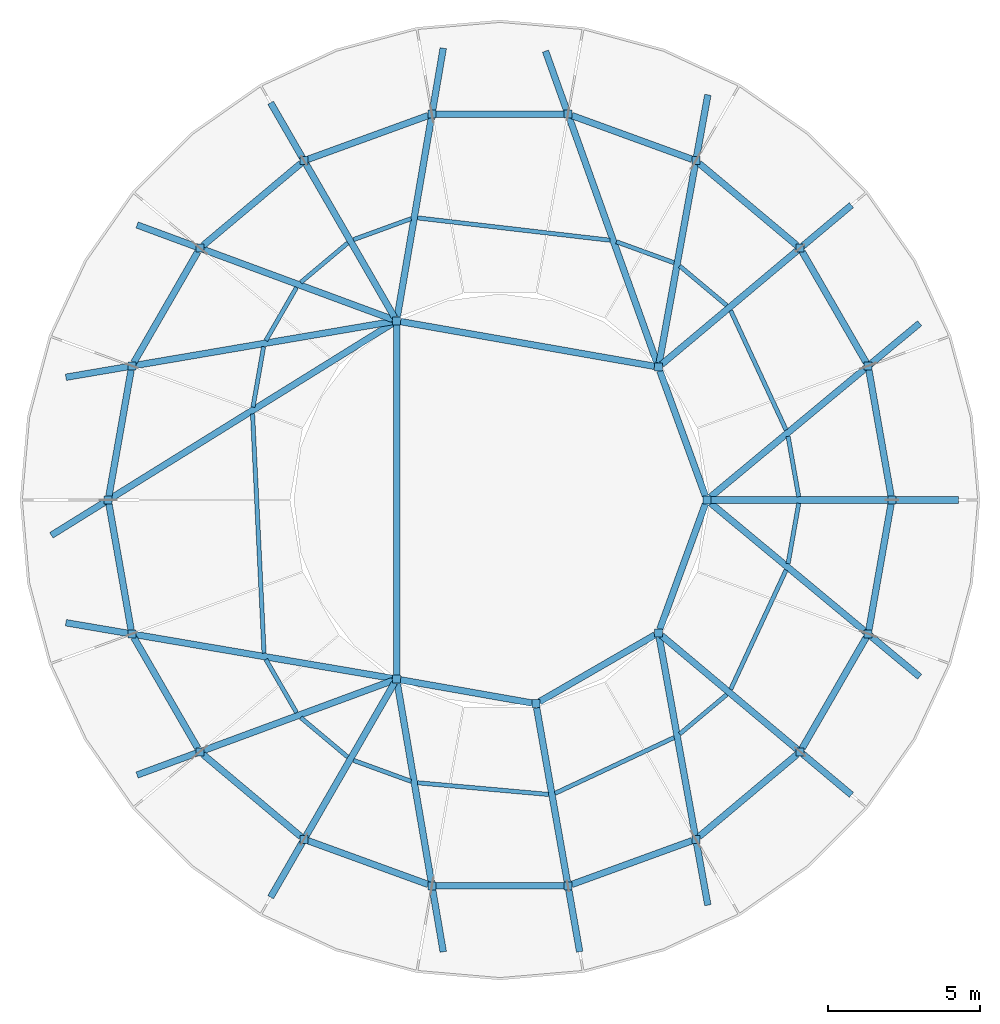
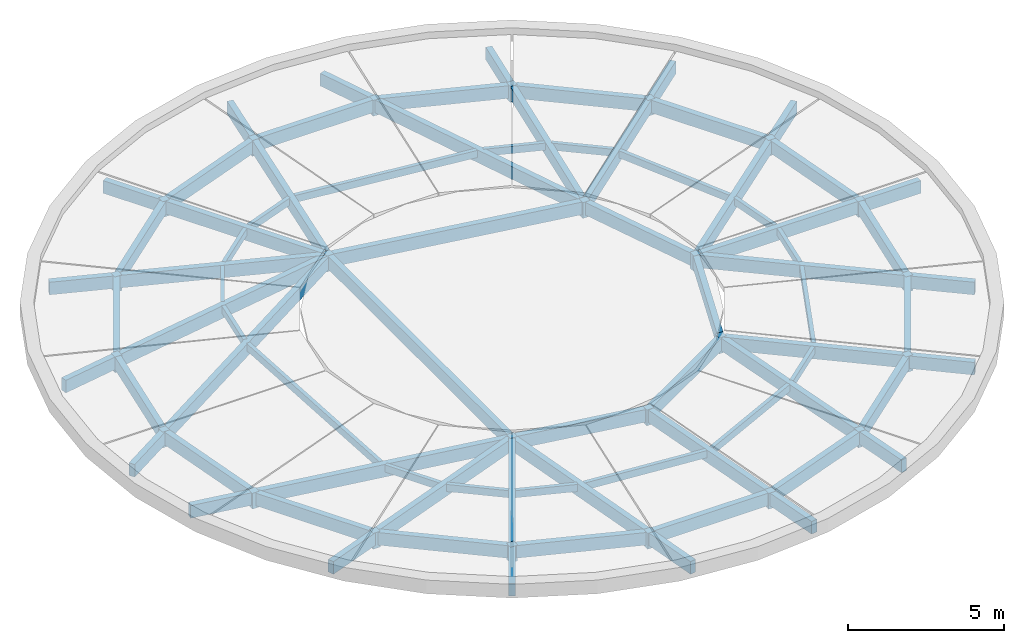
# One storey, part 1 of 6: 36 members, 24 beams, 24 columns.
"""IFC4 building model written with IfcOpenShell, lengths in metres."""

import ifcopenshell
import ifcopenshell.guid

model = None  # the IFC model being written
_history = None  # IfcOwnerHistory: only IFC2X3 demands one
_inside = {}  # id of a spatial element -> (the spatial element, [elements in it])
_under = {}  # id of a project, library or spatial element -> (it, [spatial elements below it])
_declared = {}  # id of a project -> (the project, [libraries it declares])
_typed = {}  # id of a type object -> (the type object, [elements of that type])
_made_of = {}  # id of a material, layer set ... -> (it, [elements and type objects made of it])


def new_model(schema):
    """Start an empty IFC model of exactly this schema.

    Asked for "IFC4X3", IfcOpenShell would pick the latest addendum, in which some entities
    have other attributes; the version numbers below select the first issue.
    IFC2X3 requires an IfcOwnerHistory on every rooted entity: one is made here for all.
    """
    global model, _history
    if schema == "IFC4X3":
        model = ifcopenshell.file(schema_version=(4, 3, 0, 0))
    else:
        model = ifcopenshell.file(schema=schema)
    _inside.clear()
    _under.clear()
    _declared.clear()
    _typed.clear()
    _made_of.clear()
    _history = None
    if model.schema == "IFC2X3":
        org = make("IfcOrganization", Name="unknown")
        user = make(
            "IfcPersonAndOrganization",
            ThePerson=make("IfcPerson", FamilyName="unknown"),
            TheOrganization=org,
        )
        app = make(
            "IfcApplication",
            ApplicationDeveloper=org,
            Version="unknown",
            ApplicationFullName="unknown",
            ApplicationIdentifier="unknown",
        )
        _history = make(
            "IfcOwnerHistory",
            OwningUser=user,
            OwningApplication=app,
            ChangeAction="ADDED",
            CreationDate=0,
        )
    return model


def make(cls, **values):
    """One entity of the class cls with the attributes given. An attribute that is None is left unset."""
    return model.create_entity(
        cls, **{name: value for name, value in values.items() if value is not None}
    )


def rooted(cls, **values):
    """An entity with a GlobalId (a new one), such as an element, a storey or a relation."""
    return make(cls, GlobalId=ifcopenshell.guid.new(), OwnerHistory=_history, **values)


def si_unit(unit_type, name, prefix=None):
    """IfcSIUnit, for example si_unit("LENGTHUNIT", "METRE", prefix="MILLI")."""
    return make("IfcSIUnit", UnitType=unit_type, Prefix=prefix, Name=name)


def assignment(units):
    """IfcUnitAssignment: the units of a project."""
    return None if units is None else make("IfcUnitAssignment", Units=units)


def point(xyz):
    """IfcCartesianPoint."""
    return None if xyz is None else make("IfcCartesianPoint", Coordinates=xyz)


def direction(xyz):
    """IfcDirection."""
    return None if xyz is None else make("IfcDirection", DirectionRatios=xyz)


def frame(location, z_axis=None, x_axis=None):
    """IfcAxis2Placement3D, a coordinate frame: its origin and axes. An axis left out is left unset."""
    return make(
        "IfcAxis2Placement3D",
        Location=point(location),
        Axis=direction(z_axis),
        RefDirection=direction(x_axis),
    )


def frame_2d(location, x_axis=None):
    """IfcAxis2Placement2D, a coordinate frame in the plane: its origin and x axis."""
    return make(
        "IfcAxis2Placement2D", Location=point(location), RefDirection=direction(x_axis)
    )


def origin():
    """The frame at (0, 0, 0) with its axes left unset."""
    return frame((0.0, 0.0, 0.0))


def origin_2d():
    """The frame at (0, 0) in the plane with its x axis left unset."""
    return frame_2d((0.0, 0.0))


def place(relative_to, where):
    """IfcLocalPlacement: puts the frame where relative to a parent placement (None: the world)."""
    return make(
        "IfcLocalPlacement", PlacementRelTo=relative_to, RelativePlacement=where
    )


def context(
    kind, dimensions, precision=None, world=None, true_north=None, identifier=None
):
    """IfcGeometricRepresentationContext, for example the 3D "Model" context."""
    return make(
        "IfcGeometricRepresentationContext",
        ContextIdentifier=identifier,
        ContextType=kind,
        CoordinateSpaceDimension=dimensions,
        Precision=precision,
        WorldCoordinateSystem=world,
        TrueNorth=true_north,
    )


def subcontext(parent, identifier, kind, view, scale=None):
    """IfcGeometricRepresentationSubContext, for example "Body" below "Model"."""
    return make(
        "IfcGeometricRepresentationSubContext",
        ContextIdentifier=identifier,
        ContextType=kind,
        ParentContext=parent,
        TargetScale=scale,
        TargetView=view,
    )


def project(units=None, contexts=None):
    """IfcProject with its units and contexts."""
    return rooted(
        "IfcProject",
        Name="project",
        RepresentationContexts=contexts,
        UnitsInContext=assignment(units),
    )


def spatial(cls, under=None, at=None, **own):
    """A site, building, storey or space (cls), placed at a placement, below another one or the project."""
    s = rooted(cls, ObjectPlacement=at, **own)
    if under is not None:
        _under.setdefault(under.id(), (under, []))[1].append(s)
    return s


def profile(cls, at=None, kind="AREA", **sizes):
    """A parametric profile (cls). Its sizes go by their IFC names, for example OverallWidth=200.0."""
    return make(cls, ProfileType=kind, Position=at, **sizes)


def rectangle(**sizes):
    """IfcRectangleProfileDef."""
    return profile("IfcRectangleProfileDef", **sizes)


def extrude(swept, where, along, depth):
    """IfcExtrudedAreaSolid: the profile swept, set in the frame where, extruded along a direction by depth."""
    return make(
        "IfcExtrudedAreaSolid",
        SweptArea=swept,
        Position=where,
        ExtrudedDirection=direction(along),
        Depth=depth,
    )


def shape(context_of_items, identifier, shape_type, items):
    """IfcShapeRepresentation: the items that make up one representation, for example the "Body"."""
    return make(
        "IfcShapeRepresentation",
        ContextOfItems=context_of_items,
        RepresentationIdentifier=identifier,
        RepresentationType=shape_type,
        Items=items,
    )


def material(Name=None, Category=None):
    """IfcMaterial."""
    return make("IfcMaterial", Name=Name, Category=Category)


def material_profile(
    of_material, cross_section, Name=None, Category=None, Priority=None
):
    """IfcMaterialProfile: a cross section and its material."""
    return make(
        "IfcMaterialProfile",
        Name=Name,
        Material=of_material,
        Profile=cross_section,
        Priority=Priority,
        Category=Category,
    )


def profile_set(profiles, Name=None, composite=None):
    """IfcMaterialProfileSet."""
    return make(
        "IfcMaterialProfileSet",
        Name=Name,
        MaterialProfiles=profiles,
        CompositeProfile=composite,
    )


def made_of(thing, what):
    """Note that an element or type object is made of a material, layer set ...; save() writes the relation."""
    if what is not None:
        _made_of.setdefault(what.id(), (what, []))[1].append(thing)
    return thing


def type_object(cls, material=None, **own):
    """A type object (cls), such as IfcWallType, which elements share."""
    return made_of(rooted(cls, **own), material)


def element(
    cls,
    number,
    at=None,
    inside=None,
    cuts=None,
    type_object=None,
    material=None,
    context=None,
    identifier="Body",
    shape_type=None,
    held_by="IfcProductDefinitionShape",
    body=None,
    shapes=None,
    **own,
):
    """One element of the class cls, such as IfcWall. Its Tag is "e" and its number.

    at: its placement. inside: the storey or other place that contains it. cuts: it is an
    opening in that element (IfcRelVoidsElement). A single representation is given by context,
    identifier, shape_type and body (its items); several are given by shapes. held_by: the class
    of the entity that holds the representations. save() writes the other relations.
    """
    e = rooted(cls, Tag="e%d" % number, ObjectPlacement=at, **own)
    if body is not None:
        shapes = [shape(context, identifier, shape_type, body)]
    if shapes is not None:
        e.Representation = make(held_by, Representations=shapes)
    if inside is not None:
        _inside.setdefault(inside.id(), (inside, []))[1].append(e)
    if cuts is not None:
        rooted(
            "IfcRelVoidsElement", RelatingBuildingElement=cuts, RelatedOpeningElement=e
        )
    if type_object is not None:
        _typed.setdefault(type_object.id(), (type_object, []))[1].append(e)
    return made_of(e, material)


def aggregate(whole, parts):
    """IfcRelAggregates: a whole, such as a stair, and the parts it consists of."""
    return rooted("IfcRelAggregates", RelatingObject=whole, RelatedObjects=parts)


def save(model, path):
    """Write the relations noted so far, then the file.

    IfcRelAggregates (storeys below a building ...), IfcRelContainedInSpatialStructure (elements
    in a storey), IfcRelDefinesByType, IfcRelAssociatesMaterial and IfcRelDeclares: one each for
    every whole, place, type object, material and project.
    """
    for whole, parts in _under.values():
        aggregate(whole, parts)
    for where, things in _inside.values():
        rooted(
            "IfcRelContainedInSpatialStructure",
            RelatedElements=things,
            RelatingStructure=where,
        )
    for kind, things in _typed.values():
        rooted("IfcRelDefinesByType", RelatedObjects=things, RelatingType=kind)
    for what, things in _made_of.values():
        rooted("IfcRelAssociatesMaterial", RelatedObjects=things, RelatingMaterial=what)
    for by, libraries in _declared.values():
        rooted("IfcRelDeclares", RelatingContext=by, RelatedDefinitions=libraries)
    model.write(path)


model = new_model("IFC4")

# Units and contexts
model_context = context("Model", 3, precision=1e-05, world=origin(), true_north=direction((0.0, 1.0)))
body_context = subcontext(model_context, "Body", "Model", "MODEL_VIEW")
ifc_project = project(units=[si_unit("LENGTHUNIT", "METRE"), si_unit("AREAUNIT", "SQUARE_METRE"), si_unit("VOLUMEUNIT", "CUBIC_METRE"), si_unit("PLANEANGLEUNIT", "RADIAN"), si_unit("MASSUNIT", "GRAM", prefix="KILO")], contexts=[model_context])

# Site, building, storey
site_placement = place(None, origin())
site = spatial("IfcSite", under=ifc_project, at=site_placement, CompositionType="ELEMENT")
building_placement = place(site_placement, origin())
building = spatial("IfcBuilding", under=site, at=building_placement, Name="Aldenvaro Health Centre", CompositionType="ELEMENT")
storey_placement = place(building_placement, frame((0.0, 0.0, 25.550048828125)))
storey = spatial("IfcBuildingStorey", under=building, at=storey_placement, Name="RF", CompositionType="ELEMENT", Elevation=25.550048828125)

# Columns
ifc_material = material(Name="Glulam GL28h", Category="wood")
ifc_material_profile_1 = material_profile(ifc_material, rectangle(XDim=0.264892578125, YDim=0.264892578125, at=origin_2d()), Name="GL 265x265", Category="wood")
ifc_profile_set_1 = profile_set([ifc_material_profile_1], Name="Glulam GL28h")
column_type_1 = type_object("IfcColumnType", Name="COL-GL-265", PredefinedType="COLUMN", material=ifc_profile_set_1)
for number, where, z_axis, x_axis, name in (
    (1, (25.300048828125, 99.5, 0.0), (0.0, 0.0, 1.0), (1.0, 0.0, 0.0), "D4 Roof Hub Post 01"),
    (2, (23.708984375, 103.87109375, 0.0), (0.0, 0.0, 1.0), (1.0, 0.0, 0.0), "D4 Roof Hub Post 02"),
    (3, (15.10009765625, 105.388916015625, 0.0), (0.0, 0.0, 1.0), (1.0, 0.0, 0.0), "D4 Roof Hub Post 03"),
    (4, (15.10009765625, 93.611083984375, 0.0), (0.0, 0.0, 1.0), (1.0, 0.0, 0.0), "D4 Roof Hub Post 04"),
    (5, (19.680908203125, 92.802978515625, 0.0), (0.0, 0.0, 1.0), (1.0, 0.0, 0.0), "D4 Roof Hub Post 05"),
    (6, (23.708984375, 95.12890625, 0.0), (0.0, 0.0, 1.0), (1.0, 0.0, 0.0), "D4 Roof Hub Post 06"),
):
    element("IfcColumn", number, at=place(storey_placement, frame(where, z_axis=z_axis, x_axis=x_axis)), inside=storey, type_object=column_type_1, Name=name, PredefinedType="COLUMN", context=body_context, shape_type="SweptSolid", body=[
        extrude(rectangle(XDim=0.264892578125, YDim=0.264892578125, at=origin_2d()), origin(), (0.0, 0.0, 1.0), 0.619873046875),
    ])
ifc_material_profile_2 = material_profile(ifc_material, rectangle(XDim=0.264892578125, YDim=0.264892578125, at=origin_2d()), Name="GL 265x265", Category="wood")
ifc_profile_set_2 = profile_set([ifc_material_profile_2], Name="Glulam GL28h")
column_type_2 = type_object("IfcColumnType", Name="COL-GL-265E", PredefinedType="COLUMN", material=ifc_profile_set_2)
for number, where, z_axis, x_axis, name in (
    (7, (31.3798828125, 99.5, 0.0), (0.0, 0.0, 1.0), (1.0, 0.0, 0.0), "D4 Roof Eave Post 01"),
    (8, (30.60302734375, 103.905029296875, 0.0), (0.0, 0.0, 1.0), (1.0, 0.0, 0.0), "D4 Roof Eave Post 02"),
    (9, (28.366943359375, 107.779052734375, 0.0), (0.0, 0.0, 1.0), (1.0, 0.0, 0.0), "D4 Roof Eave Post 03"),
    (10, (24.93994140625, 110.654052734375, 0.0), (0.0, 0.0, 1.0), (1.0, 0.0, 0.0), "D4 Roof Eave Post 04"),
    (11, (20.737060546875, 112.18408203125, 0.0), (0.0, 0.0, 1.0), (1.0, 0.0, 0.0), "D4 Roof Eave Post 05"),
    (12, (16.262939453125, 112.18408203125, 0.0), (0.0, 0.0, 1.0), (1.0, 0.0, 0.0), "D4 Roof Eave Post 06"),
    (13, (12.06005859375, 110.654052734375, 0.0), (0.0, 0.0, 1.0), (1.0, 0.0, 0.0), "D4 Roof Eave Post 07"),
    (14, (8.633056640625, 107.779052734375, 0.0), (0.0, 0.0, 1.0), (1.0, 0.0, 0.0), "D4 Roof Eave Post 08"),
    (15, (6.39697265625, 103.905029296875, 0.0), (0.0, 0.0, 1.0), (1.0, 0.0, 0.0), "D4 Roof Eave Post 09"),
    (16, (5.6201171875, 99.5, 0.0), (0.0, 0.0, 1.0), (1.0, 0.0, 0.0), "D4 Roof Eave Post 10"),
    (17, (6.39697265625, 95.094970703125, 0.0), (0.0, 0.0, 1.0), (1.0, 0.0, 0.0), "D4 Roof Eave Post 11"),
    (18, (8.633056640625, 91.220947265625, 0.0), (0.0, 0.0, 1.0), (1.0, 0.0, 0.0), "D4 Roof Eave Post 12"),
    (19, (12.06005859375, 88.345947265625, 0.0), (0.0, 0.0, 1.0), (1.0, 0.0, 0.0), "D4 Roof Eave Post 13"),
    (20, (16.262939453125, 86.81591796875, 0.0), (0.0, 0.0, 1.0), (1.0, 0.0, 0.0), "D4 Roof Eave Post 14"),
    (21, (20.737060546875, 86.81591796875, 0.0), (0.0, 0.0, 1.0), (1.0, 0.0, 0.0), "D4 Roof Eave Post 15"),
    (22, (24.93994140625, 88.345947265625, 0.0), (0.0, 0.0, 1.0), (1.0, 0.0, 0.0), "D4 Roof Eave Post 16"),
    (23, (28.366943359375, 91.220947265625, 0.0), (0.0, 0.0, 1.0), (1.0, 0.0, 0.0), "D4 Roof Eave Post 17"),
    (24, (30.60302734375, 95.094970703125, 0.0), (0.0, 0.0, 1.0), (1.0, 0.0, 0.0), "D4 Roof Eave Post 18"),
):
    element("IfcColumn", number, at=place(storey_placement, frame(where, z_axis=z_axis, x_axis=x_axis)), inside=storey, type_object=column_type_2, Name=name, PredefinedType="COLUMN", context=body_context, shape_type="SweptSolid", body=[
        extrude(rectangle(XDim=0.264892578125, YDim=0.264892578125, at=origin_2d()), origin(), (0.0, 0.0, 1.0), 0.619873046875),
    ])

# Beams
ifc_material_profile_3 = material_profile(ifc_material, rectangle(XDim=0.215087890625, YDim=0.493896484375, at=origin_2d()), Name="GL 215x494", Category="wood")
ifc_profile_set_3 = profile_set([ifc_material_profile_3], Name="Glulam GL28h")
beam_type = type_object("IfcBeamType", Name="BM-GL-494", PredefinedType="BEAM", material=ifc_profile_set_3)
beam_1_placement = place(storey_placement, frame((25.2548828125, 99.625, 0.373046875), z_axis=(-0.34222571507, 0.939617773323, 0.0), x_axis=(-0.939617773323, -0.34222571507, 0.0)))
element("IfcBeam", 25, at=beam_1_placement, inside=storey, type_object=beam_type, Name="D4 Roof Hub Ring 01", PredefinedType="BEAM", context=body_context, shape_type="SweptSolid", body=[
    extrude(rectangle(XDim=0.215087890625, YDim=0.493896484375, at=origin_2d()), origin(), (0.0, 0.0, 1.0), 4.385986328125),
])
beam_2_placement = place(storey_placement, frame((23.5791015625, 103.89404296875, 0.373046875), z_axis=(-0.984812825398, 0.173619408279, 0.0), x_axis=(-0.173619408279, -0.984812825398, 0.0)))
element("IfcBeam", 26, at=beam_2_placement, inside=storey, type_object=beam_type, Name="D4 Roof Hub Ring 02", PredefinedType="BEAM", context=body_context, shape_type="SweptSolid", body=[
    extrude(rectangle(XDim=0.215087890625, YDim=0.493896484375, at=origin_2d()), origin(), (0.0, 0.0, 1.0), 8.477783203125),
])
beam_3_placement = place(storey_placement, frame((15.10009765625, 105.257080078125, 0.373046875), z_axis=(0.0, -1.0, 0.0), x_axis=(1.0, 0.0, 0.0)))
element("IfcBeam", 27, at=beam_3_placement, inside=storey, type_object=beam_type, Name="D4 Roof Hub Ring 03", PredefinedType="BEAM", context=body_context, shape_type="SweptSolid", body=[
    extrude(rectangle(XDim=0.215087890625, YDim=0.493896484375, at=origin_2d()), origin(), (0.0, 0.0, 1.0), 11.51416015625),
])
beam_4_placement = place(storey_placement, frame((15.22998046875, 93.587890625, 0.373046875), z_axis=(0.984805956766, -0.173658364375, 0.0), x_axis=(0.173658364375, 0.984805956766, 0.0)))
element("IfcBeam", 28, at=beam_4_placement, inside=storey, type_object=beam_type, Name="D4 Roof Hub Ring 04", PredefinedType="BEAM", context=body_context, shape_type="SweptSolid", body=[
    extrude(rectangle(XDim=0.215087890625, YDim=0.493896484375, at=origin_2d()), origin(), (0.0, 0.0, 1.0), 4.3876953125),
])
beam_5_placement = place(storey_placement, frame((19.7958984375, 92.868896484375, 0.373046875), z_axis=(0.865900968659, 0.50021546605, 0.0), x_axis=(-0.50021546605, 0.865900968659, 0.0)))
element("IfcBeam", 29, at=beam_5_placement, inside=storey, type_object=beam_type, Name="D4 Roof Hub Ring 05", PredefinedType="BEAM", context=body_context, shape_type="SweptSolid", body=[
    extrude(rectangle(XDim=0.215087890625, YDim=0.493896484375, at=origin_2d()), origin(), (0.0, 0.0, 1.0), 4.38623046875),
])
beam_6_placement = place(storey_placement, frame((23.75390625, 95.25390625, 0.373046875), z_axis=(0.34222571507, 0.939617773323, 0.0), x_axis=(-0.939617773323, 0.34222571507, 0.0)))
element("IfcBeam", 30, at=beam_6_placement, inside=storey, type_object=beam_type, Name="D4 Roof Hub Ring 06", PredefinedType="BEAM", context=body_context, shape_type="SweptSolid", body=[
    extrude(rectangle(XDim=0.215087890625, YDim=0.493896484375, at=origin_2d()), origin(), (0.0, 0.0, 1.0), 4.385986328125),
])
beam_7_placement = place(storey_placement, frame((31.35693359375, 99.6298828125, 0.373046875), z_axis=(-0.173666208797, 0.984804573467, 0.0), x_axis=(-0.984804573467, -0.173666208797, 0.0)))
element("IfcBeam", 31, at=beam_7_placement, inside=storey, type_object=beam_type, Name="D4 Roof Eave Ring 01", PredefinedType="BEAM", context=body_context, shape_type="SweptSolid", body=[
    extrude(rectangle(XDim=0.215087890625, YDim=0.493896484375, at=origin_2d()), origin(), (0.0, 0.0, 1.0), 4.208984375),
])
for number, where, z_axis, x_axis, name in (
    (32, (30.537109375, 104.02001953125, 0.373046875), (-0.500020446946, 0.866013598413, 0.0), (-0.866013598413, -0.500020446946, 0.0), "D4 Roof Eave Ring 02"),
    (33, (28.264892578125, 107.864013671875, 0.373046875), (-0.765957416677, 0.642891309505, 0.0), (-0.642891309505, -0.765957416677, 0.0), "D4 Roof Eave Ring 03"),
):
    element("IfcBeam", number, at=place(storey_placement, frame(where, z_axis=z_axis, x_axis=x_axis)), inside=storey, type_object=beam_type, Name=name, PredefinedType="BEAM", context=body_context, shape_type="SweptSolid", body=[
        extrude(rectangle(XDim=0.215087890625, YDim=0.493896484375, at=origin_2d()), origin(), (0.0, 0.0, 1.0), 4.207763671875),
    ])
beam_8_placement = place(storey_placement, frame((24.81494140625, 110.698974609375, 0.373046875), z_axis=(-0.939600114943, 0.342274194178, 0.0), x_axis=(-0.342274194178, -0.939600114943, 0.0)))
element("IfcBeam", 34, at=beam_8_placement, inside=storey, type_object=beam_type, Name="D4 Roof Eave Ring 04", PredefinedType="BEAM", context=body_context, shape_type="SweptSolid", body=[
    extrude(rectangle(XDim=0.215087890625, YDim=0.493896484375, at=origin_2d()), origin(), (0.0, 0.0, 1.0), 4.20703125),
])
beam_9_placement = place(storey_placement, frame((20.60400390625, 112.18408203125, 0.373046875), z_axis=(-1.0, 0.0, 0.0), x_axis=(0.0, -1.0, 0.0)))
element("IfcBeam", 35, at=beam_9_placement, inside=storey, type_object=beam_type, Name="D4 Roof Eave Ring 05", PredefinedType="BEAM", context=body_context, shape_type="SweptSolid", body=[
    extrude(rectangle(XDim=0.215087890625, YDim=0.493896484375, at=origin_2d()), origin(), (0.0, 0.0, 1.0), 4.2080078125),
])
beam_10_placement = place(storey_placement, frame((16.137939453125, 112.138916015625, 0.373046875), z_axis=(-0.939600114943, -0.342274194178, 0.0), x_axis=(0.342274194178, -0.939600114943, 0.0)))
element("IfcBeam", 36, at=beam_10_placement, inside=storey, type_object=beam_type, Name="D4 Roof Eave Ring 06", PredefinedType="BEAM", context=body_context, shape_type="SweptSolid", body=[
    extrude(rectangle(XDim=0.215087890625, YDim=0.493896484375, at=origin_2d()), origin(), (0.0, 0.0, 1.0), 4.20703125),
])
for number, where, z_axis, x_axis, name in (
    (37, (11.9580078125, 110.569091796875, 0.373046875), (-0.765957416677, -0.642891309505, 0.0), (0.642891309505, -0.765957416677, 0.0), "D4 Roof Eave Ring 07"),
    (38, (8.56689453125, 107.6640625, 0.373046875), (-0.500020446946, -0.866013598413, 0.0), (0.866013598413, -0.500020446946, 0.0), "D4 Roof Eave Ring 08"),
):
    element("IfcBeam", number, at=place(storey_placement, frame(where, z_axis=z_axis, x_axis=x_axis)), inside=storey, type_object=beam_type, Name=name, PredefinedType="BEAM", context=body_context, shape_type="SweptSolid", body=[
        extrude(rectangle(XDim=0.215087890625, YDim=0.493896484375, at=origin_2d()), origin(), (0.0, 0.0, 1.0), 4.207763671875),
    ])
for number, where, z_axis, x_axis, name in (
    (39, (6.3740234375, 103.77490234375, 0.373046875), (-0.173666208797, -0.984804573467, 0.0), (0.984804573467, -0.173666208797, 0.0), "D4 Roof Eave Ring 09"),
    (40, (5.64306640625, 99.3701171875, 0.373046875), (0.173666208797, -0.984804573467, 0.0), (0.984804573467, 0.173666208797, 0.0), "D4 Roof Eave Ring 10"),
):
    element("IfcBeam", number, at=place(storey_placement, frame(where, z_axis=z_axis, x_axis=x_axis)), inside=storey, type_object=beam_type, Name=name, PredefinedType="BEAM", context=body_context, shape_type="SweptSolid", body=[
        extrude(rectangle(XDim=0.215087890625, YDim=0.493896484375, at=origin_2d()), origin(), (0.0, 0.0, 1.0), 4.208984375),
    ])
for number, where, z_axis, x_axis, name in (
    (41, (6.462890625, 94.97998046875, 0.373046875), (0.500020446946, -0.866013598413, 0.0), (0.866013598413, 0.500020446946, 0.0), "D4 Roof Eave Ring 11"),
    (42, (8.735107421875, 91.135986328125, 0.373046875), (0.765957416677, -0.642891309505, 0.0), (0.642891309505, 0.765957416677, 0.0), "D4 Roof Eave Ring 12"),
):
    element("IfcBeam", number, at=place(storey_placement, frame(where, z_axis=z_axis, x_axis=x_axis)), inside=storey, type_object=beam_type, Name=name, PredefinedType="BEAM", context=body_context, shape_type="SweptSolid", body=[
        extrude(rectangle(XDim=0.215087890625, YDim=0.493896484375, at=origin_2d()), origin(), (0.0, 0.0, 1.0), 4.207763671875),
    ])
beam_11_placement = place(storey_placement, frame((12.18505859375, 88.301025390625, 0.373046875), z_axis=(0.939600114943, -0.342274194178, 0.0), x_axis=(0.342274194178, 0.939600114943, 0.0)))
element("IfcBeam", 43, at=beam_11_placement, inside=storey, type_object=beam_type, Name="D4 Roof Eave Ring 13", PredefinedType="BEAM", context=body_context, shape_type="SweptSolid", body=[
    extrude(rectangle(XDim=0.215087890625, YDim=0.493896484375, at=origin_2d()), origin(), (0.0, 0.0, 1.0), 4.20703125),
])
beam_12_placement = place(storey_placement, frame((16.39599609375, 86.81591796875, 0.373046875), z_axis=(1.0, 0.0, 0.0), x_axis=(0.0, 1.0, 0.0)))
element("IfcBeam", 44, at=beam_12_placement, inside=storey, type_object=beam_type, Name="D4 Roof Eave Ring 14", PredefinedType="BEAM", context=body_context, shape_type="SweptSolid", body=[
    extrude(rectangle(XDim=0.215087890625, YDim=0.493896484375, at=origin_2d()), origin(), (0.0, 0.0, 1.0), 4.2080078125),
])
beam_13_placement = place(storey_placement, frame((20.862060546875, 86.861083984375, 0.373046875), z_axis=(0.939600114943, 0.342274194178, 0.0), x_axis=(-0.342274194178, 0.939600114943, 0.0)))
element("IfcBeam", 45, at=beam_13_placement, inside=storey, type_object=beam_type, Name="D4 Roof Eave Ring 15", PredefinedType="BEAM", context=body_context, shape_type="SweptSolid", body=[
    extrude(rectangle(XDim=0.215087890625, YDim=0.493896484375, at=origin_2d()), origin(), (0.0, 0.0, 1.0), 4.20703125),
])
for number, where, z_axis, x_axis, name in (
    (46, (25.0419921875, 88.430908203125, 0.373046875), (0.765957416677, 0.642891309505, 0.0), (-0.642891309505, 0.765957416677, 0.0), "D4 Roof Eave Ring 16"),
    (47, (28.43310546875, 91.3359375, 0.373046875), (0.500020446946, 0.866013598413, 0.0), (-0.866013598413, 0.500020446946, 0.0), "D4 Roof Eave Ring 17"),
):
    element("IfcBeam", number, at=place(storey_placement, frame(where, z_axis=z_axis, x_axis=x_axis)), inside=storey, type_object=beam_type, Name=name, PredefinedType="BEAM", context=body_context, shape_type="SweptSolid", body=[
        extrude(rectangle(XDim=0.215087890625, YDim=0.493896484375, at=origin_2d()), origin(), (0.0, 0.0, 1.0), 4.207763671875),
    ])
beam_14_placement = place(storey_placement, frame((30.6259765625, 95.22509765625, 0.373046875), z_axis=(0.173666208797, 0.984804573467, 0.0), x_axis=(-0.984804573467, 0.173666208797, 0.0)))
element("IfcBeam", 48, at=beam_14_placement, inside=storey, type_object=beam_type, Name="D4 Roof Eave Ring 18", PredefinedType="BEAM", context=body_context, shape_type="SweptSolid", body=[
    extrude(rectangle(XDim=0.215087890625, YDim=0.493896484375, at=origin_2d()), origin(), (0.0, 0.0, 1.0), 4.208984375),
])

# Members
ifc_material_profile_4 = material_profile(ifc_material, rectangle(XDim=0.139892578125, YDim=0.280029296875, at=origin_2d()), Name="GL 140x280", Category="wood")
ifc_profile_set_4 = profile_set([ifc_material_profile_4], Name="Glulam GL28h")
member_type_1 = type_object("IfcMemberType", Name="MEM-PR-280", PredefinedType="PURLIN", material=ifc_profile_set_4)
member_1_placement = place(storey_placement, frame((28.321044921875, 99.60791015625, 0.47998046875), z_axis=(-0.173598867154, 0.984816446513, 0.0), x_axis=(-0.984816446513, -0.173598867154, 0.0)))
element("IfcMember", 49, at=member_1_placement, inside=storey, type_object=member_type_1, Name="D4 Roof Purlin 01", PredefinedType="PURLIN", context=body_context, shape_type="SweptSolid", body=[
    extrude(rectangle(XDim=0.139892578125, YDim=0.280029296875, at=origin_2d()), origin(), (0.0, 0.0, 1.0), 2.0166015625),
])
member_2_placement = place(storey_placement, frame((27.905029296875, 101.802001953125, 0.47998046875), z_axis=(-0.421036674424, 0.907043614602, 0.0), x_axis=(-0.907043614602, -0.421036674424, 0.0)))
element("IfcMember", 50, at=member_2_placement, inside=storey, type_object=member_type_1, Name="D4 Roof Purlin 02", PredefinedType="PURLIN", context=body_context, shape_type="SweptSolid", body=[
    extrude(rectangle(XDim=0.139892578125, YDim=0.280029296875, at=origin_2d()), origin(), (0.0, 0.0, 1.0), 4.3251953125),
])
for number, where, z_axis, x_axis, name in (
    (51, (25.9541015625, 105.89599609375, 0.47998046875), (-0.766203079785, 0.642598506478, 0.0), (-0.642598506478, -0.766203079785, 0.0), "D4 Roof Purlin 03"),
    (52, (24.220947265625, 107.300048828125, 0.47998046875), (-0.939659037401, 0.342112398827, 0.0), (-0.342112398827, -0.939659037401, 0.0), "D4 Roof Purlin 04"),
):
    element("IfcMember", number, at=place(storey_placement, frame(where, z_axis=z_axis, x_axis=x_axis)), inside=storey, type_object=member_type_1, Name=name, PredefinedType="PURLIN", context=body_context, shape_type="SweptSolid", body=[
        extrude(rectangle(XDim=0.139892578125, YDim=0.280029296875, at=origin_2d()), origin(), (0.0, 0.0, 1.0), 2.0166015625),
    ])
member_3_placement = place(storey_placement, frame((22.114013671875, 108.0400390625, 0.47998046875), z_axis=(-0.993331611099, 0.115292282442, 0.0), x_axis=(-0.115292282442, -0.993331611099, 0.0)))
element("IfcMember", 53, at=member_3_placement, inside=storey, type_object=member_type_1, Name="D4 Roof Purlin 05", PredefinedType="PURLIN", context=body_context, shape_type="SweptSolid", body=[
    extrude(rectangle(XDim=0.139892578125, YDim=0.280029296875, at=origin_2d()), origin(), (0.0, 0.0, 1.0), 6.365478515625),
])
for number, where, z_axis, x_axis, name in (
    (54, (15.577880859375, 108.7490234375, 0.47998046875), (-0.939644866143, -0.342151319639, 0.0), (0.342151319639, -0.939644866143, 0.0), "D4 Roof Purlin 06"),
    (55, (13.49609375, 107.950927734375, 0.47998046875), (-0.766203079785, -0.642598506478, 0.0), (0.642598506478, -0.766203079785, 0.0), "D4 Roof Purlin 07"),
):
    element("IfcMember", number, at=place(storey_placement, frame(where, z_axis=z_axis, x_axis=x_axis)), inside=storey, type_object=member_type_1, Name=name, PredefinedType="PURLIN", context=body_context, shape_type="SweptSolid", body=[
        extrude(rectangle(XDim=0.139892578125, YDim=0.280029296875, at=origin_2d()), origin(), (0.0, 0.0, 1.0), 2.0166015625),
    ])
member_4_placement = place(storey_placement, frame((11.81201171875, 106.489013671875, 0.47998046875), z_axis=(-0.500134448853, -0.865947765786, 0.0), x_axis=(0.865947765786, -0.500134448853, 0.0)))
element("IfcMember", 56, at=member_4_placement, inside=storey, type_object=member_type_1, Name="D4 Roof Purlin 08", PredefinedType="PURLIN", context=body_context, shape_type="SweptSolid", body=[
    extrude(rectangle(XDim=0.139892578125, YDim=0.280029296875, at=origin_2d()), origin(), (0.0, 0.0, 1.0), 2.017578125),
])
member_5_placement = place(storey_placement, frame((10.72900390625, 104.5390625, 0.47998046875), z_axis=(-0.173598867154, -0.984816446513, 0.0), x_axis=(0.984816446513, -0.173598867154, 0.0)))
element("IfcMember", 57, at=member_5_placement, inside=storey, type_object=member_type_1, Name="D4 Roof Purlin 09", PredefinedType="PURLIN", context=body_context, shape_type="SweptSolid", body=[
    extrude(rectangle(XDim=0.139892578125, YDim=0.280029296875, at=origin_2d()), origin(), (0.0, 0.0, 1.0), 2.0166015625),
])
member_6_placement = place(storey_placement, frame((10.364990234375, 102.3349609375, 0.47998046875), z_axis=(0.047953700477, -0.998849559549, 0.0), x_axis=(0.998849559549, 0.047953700477, 0.0)))
element("IfcMember", 58, at=member_6_placement, inside=storey, type_object=member_type_1, Name="D4 Roof Purlin 10", PredefinedType="PURLIN", context=body_context, shape_type="SweptSolid", body=[
    extrude(rectangle(XDim=0.139892578125, YDim=0.280029296875, at=origin_2d()), origin(), (0.0, 0.0, 1.0), 7.881103515625),
])
member_7_placement = place(storey_placement, frame((10.802978515625, 94.258056640625, 0.47998046875), z_axis=(0.500134448853, -0.865947765786, 0.0), x_axis=(0.865947765786, 0.500134448853, 0.0)))
element("IfcMember", 59, at=member_7_placement, inside=storey, type_object=member_type_1, Name="D4 Roof Purlin 11", PredefinedType="PURLIN", context=body_context, shape_type="SweptSolid", body=[
    extrude(rectangle(XDim=0.139892578125, YDim=0.280029296875, at=origin_2d()), origin(), (0.0, 0.0, 1.0), 2.017578125),
])
for number, where, z_axis, x_axis, name in (
    (60, (11.950927734375, 92.344970703125, 0.47998046875), (0.766203079785, -0.642598506478, 0.0), (0.642598506478, 0.766203079785, 0.0), "D4 Roof Purlin 12"),
    (61, (13.68310546875, 90.94091796875, 0.47998046875), (0.939644866143, -0.342151319639, 0.0), (0.342151319639, 0.939644866143, 0.0), "D4 Roof Purlin 13"),
):
    element("IfcMember", number, at=place(storey_placement, frame(where, z_axis=z_axis, x_axis=x_axis)), inside=storey, type_object=member_type_1, Name=name, PredefinedType="PURLIN", context=body_context, shape_type="SweptSolid", body=[
        extrude(rectangle(XDim=0.139892578125, YDim=0.280029296875, at=origin_2d()), origin(), (0.0, 0.0, 1.0), 2.0166015625),
    ])
member_8_placement = place(storey_placement, frame((15.791015625, 90.2041015625, 0.47998046875), z_axis=(0.996030380682, -0.089013935755, 0.0), x_axis=(0.089013935755, 0.996030380682, 0.0)))
element("IfcMember", 62, at=member_8_placement, inside=storey, type_object=member_type_1, Name="D4 Roof Purlin 14", PredefinedType="PURLIN", context=body_context, shape_type="SweptSolid", body=[
    extrude(rectangle(XDim=0.139892578125, YDim=0.280029296875, at=origin_2d()), origin(), (0.0, 0.0, 1.0), 4.3251953125),
])
member_9_placement = place(storey_placement, frame((20.30908203125, 89.85595703125, 0.47998046875), z_axis=(0.905518589932, 0.424306591143, 0.0), x_axis=(-0.424306591143, 0.905518589932, 0.0)))
element("IfcMember", 63, at=member_9_placement, inside=storey, type_object=member_type_1, Name="D4 Roof Purlin 15", PredefinedType="PURLIN", context=body_context, shape_type="SweptSolid", body=[
    extrude(rectangle(XDim=0.139892578125, YDim=0.280029296875, at=origin_2d()), origin(), (0.0, 0.0, 1.0), 4.32470703125),
])
member_10_placement = place(storey_placement, frame((24.408935546875, 91.80810546875, 0.47998046875), z_axis=(0.766203079785, 0.642598506478, 0.0), x_axis=(-0.642598506478, 0.766203079785, 0.0)))
element("IfcMember", 64, at=member_10_placement, inside=storey, type_object=member_type_1, Name="D4 Roof Purlin 16", PredefinedType="PURLIN", context=body_context, shape_type="SweptSolid", body=[
    extrude(rectangle(XDim=0.139892578125, YDim=0.280029296875, at=origin_2d()), origin(), (0.0, 0.0, 1.0), 2.0166015625),
])
member_11_placement = place(storey_placement, frame((26.083984375, 93.27490234375, 0.47998046875), z_axis=(0.421036674424, 0.907043614602, 0.0), x_axis=(-0.907043614602, 0.421036674424, 0.0)))
element("IfcMember", 65, at=member_11_placement, inside=storey, type_object=member_type_1, Name="D4 Roof Purlin 17", PredefinedType="PURLIN", context=body_context, shape_type="SweptSolid", body=[
    extrude(rectangle(XDim=0.139892578125, YDim=0.280029296875, at=origin_2d()), origin(), (0.0, 0.0, 1.0), 4.3251953125),
])
member_12_placement = place(storey_placement, frame((27.970947265625, 97.406005859375, 0.47998046875), z_axis=(0.173598867154, 0.984816446513, 0.0), x_axis=(-0.984816446513, 0.173598867154, 0.0)))
element("IfcMember", 66, at=member_12_placement, inside=storey, type_object=member_type_1, Name="D4 Roof Purlin 18", PredefinedType="PURLIN", context=body_context, shape_type="SweptSolid", body=[
    extrude(rectangle(XDim=0.139892578125, YDim=0.280029296875, at=origin_2d()), origin(), (0.0, 0.0, 1.0), 2.0166015625),
])
ifc_material_profile_5 = material_profile(ifc_material, rectangle(XDim=0.215087890625, YDim=0.493896484375, at=origin_2d()), Name="GL 215x494", Category="wood")
ifc_profile_set_5 = profile_set([ifc_material_profile_5], Name="Glulam GL28h")
member_type_2 = type_object("IfcMemberType", Name="MEM-RF-494", PredefinedType="RAFTER", material=ifc_profile_set_5)
member_13_placement = place(storey_placement, frame((33.580078125, 99.5, 0.373046875), z_axis=(-1.0, 0.0, 0.0), x_axis=(0.0, -1.0, 0.0)))
element("IfcMember", 67, at=member_13_placement, inside=storey, type_object=member_type_2, Name="D4 Radial Overhang Rafter 01", PredefinedType="RAFTER", context=body_context, shape_type="SweptSolid", body=[
    extrude(rectangle(XDim=0.215087890625, YDim=0.493896484375, at=origin_2d()), origin(), (0.0, 0.0, 1.0), 8.14013671875),
])
member_14_placement = place(storey_placement, frame((32.294921875, 105.31103515625, 0.373046875), z_axis=(-0.769165835908, -0.639049228834, 0.0), x_axis=(0.639049228834, -0.769165835908, 0.0)))
element("IfcMember", 68, at=member_14_placement, inside=storey, type_object=member_type_2, Name="D4 Radial Overhang Rafter 02", PredefinedType="RAFTER", context=body_context, shape_type="SweptSolid", body=[
    extrude(rectangle(XDim=0.215087890625, YDim=0.493896484375, at=origin_2d()), origin(), (0.0, 0.0, 1.0), 8.953857421875),
])
member_15_placement = place(storey_placement, frame((30.052001953125, 109.193115234375, 0.373046875), z_axis=(-0.766075778092, -0.642750264271, 0.0), x_axis=(0.642750264271, -0.766075778092, 0.0)))
element("IfcMember", 69, at=member_15_placement, inside=storey, type_object=member_type_2, Name="D4 Radial Overhang Rafter 03", PredefinedType="RAFTER", context=body_context, shape_type="SweptSolid", body=[
    extrude(rectangle(XDim=0.215087890625, YDim=0.493896484375, at=origin_2d()), origin(), (0.0, 0.0, 1.0), 8.140380859375),
])
member_16_placement = place(storey_placement, frame((25.3330078125, 112.819091796875, 0.373046875), z_axis=(-0.178592701848, -0.983923089904, 0.0), x_axis=(0.983923089904, -0.178592701848, 0.0)))
element("IfcMember", 70, at=member_16_placement, inside=storey, type_object=member_type_2, Name="D4 Radial Overhang Rafter 04", PredefinedType="RAFTER", context=body_context, shape_type="SweptSolid", body=[
    extrude(rectangle(XDim=0.215087890625, YDim=0.493896484375, at=origin_2d()), origin(), (0.0, 0.0, 1.0), 8.9541015625),
])
member_17_placement = place(storey_placement, frame((19.99609375, 114.256103515625, 0.373046875), z_axis=(0.336675837293, -0.941620613933, 0.0), x_axis=(0.941620613933, 0.336675837293, 0.0)))
element("IfcMember", 71, at=member_17_placement, inside=storey, type_object=member_type_2, Name="D4 Radial Overhang Rafter 05", PredefinedType="RAFTER", context=body_context, shape_type="SweptSolid", body=[
    extrude(rectangle(XDim=0.215087890625, YDim=0.493896484375, at=origin_2d()), origin(), (0.0, 0.0, 1.0), 10.888916015625),
])
member_18_placement = place(storey_placement, frame((16.634033203125, 114.35205078125, 0.373046875), z_axis=(-0.168655765624, -0.985675013745, 0.0), x_axis=(0.985675013745, -0.168655765624, 0.0)))
element("IfcMember", 72, at=member_18_placement, inside=storey, type_object=member_type_2, Name="D4 Radial Overhang Rafter 06", PredefinedType="RAFTER", context=body_context, shape_type="SweptSolid", body=[
    extrude(rectangle(XDim=0.215087890625, YDim=0.493896484375, at=origin_2d()), origin(), (0.0, 0.0, 1.0), 8.953125),
])
member_19_placement = place(storey_placement, frame((10.9599609375, 112.55908203125, 0.373046875), z_axis=(0.500026222076, -0.866010263932, 0.0), x_axis=(0.866010263932, 0.500026222076, 0.0)))
element("IfcMember", 73, at=member_19_placement, inside=storey, type_object=member_type_2, Name="D4 Radial Overhang Rafter 07", PredefinedType="RAFTER", context=body_context, shape_type="SweptSolid", body=[
    extrude(rectangle(XDim=0.215087890625, YDim=0.493896484375, at=origin_2d()), origin(), (0.0, 0.0, 1.0), 8.1396484375),
])
member_20_placement = place(storey_placement, frame((6.569091796875, 108.5419921875, 0.373046875), z_axis=(0.938005675544, -0.346619896497, 0.0), x_axis=(0.346619896497, 0.938005675544, 0.0)))
element("IfcMember", 74, at=member_20_placement, inside=storey, type_object=member_type_2, Name="D4 Radial Overhang Rafter 08", PredefinedType="RAFTER", context=body_context, shape_type="SweptSolid", body=[
    extrude(rectangle(XDim=0.215087890625, YDim=0.493896484375, at=origin_2d()), origin(), (0.0, 0.0, 1.0), 8.955078125),
])
member_21_placement = place(storey_placement, frame((4.22802734375, 103.534912109375, 0.373046875), z_axis=(0.985775047108, 0.168070094007, 0.0), x_axis=(-0.168070094007, 0.985775047108, 0.0)))
element("IfcMember", 75, at=member_21_placement, inside=storey, type_object=member_type_2, Name="D4 Radial Overhang Rafter 09", PredefinedType="RAFTER", context=body_context, shape_type="SweptSolid", body=[
    extrude(rectangle(XDim=0.215087890625, YDim=0.493896484375, at=origin_2d()), origin(), (0.0, 0.0, 1.0), 10.888671875),
])
member_22_placement = place(storey_placement, frame((3.7509765625, 98.339111328125, 0.373046875), z_axis=(0.8494537927, 0.527663011844, 0.0), x_axis=(-0.527663011844, 0.8494537927, 0.0)))
element("IfcMember", 76, at=member_22_placement, inside=storey, type_object=member_type_2, Name="D4 Radial Overhang Rafter 10", PredefinedType="RAFTER", context=body_context, shape_type="SweptSolid", body=[
    extrude(rectangle(XDim=0.215087890625, YDim=0.493896484375, at=origin_2d()), origin(), (0.0, 0.0, 1.0), 13.22021484375),
])
member_23_placement = place(storey_placement, frame((4.22802734375, 95.465087890625, 0.373046875), z_axis=(0.985775047108, -0.168070094007, 0.0), x_axis=(0.168070094007, 0.985775047108, 0.0)))
element("IfcMember", 77, at=member_23_placement, inside=storey, type_object=member_type_2, Name="D4 Radial Overhang Rafter 11", PredefinedType="RAFTER", context=body_context, shape_type="SweptSolid", body=[
    extrude(rectangle(XDim=0.215087890625, YDim=0.493896484375, at=origin_2d()), origin(), (0.0, 0.0, 1.0), 10.888671875),
])
member_24_placement = place(storey_placement, frame((6.569091796875, 90.4580078125, 0.373046875), z_axis=(0.938005675544, 0.346619896497, 0.0), x_axis=(-0.346619896497, 0.938005675544, 0.0)))
element("IfcMember", 78, at=member_24_placement, inside=storey, type_object=member_type_2, Name="D4 Radial Overhang Rafter 12", PredefinedType="RAFTER", context=body_context, shape_type="SweptSolid", body=[
    extrude(rectangle(XDim=0.215087890625, YDim=0.493896484375, at=origin_2d()), origin(), (0.0, 0.0, 1.0), 8.955078125),
])
member_25_placement = place(storey_placement, frame((10.9599609375, 86.44091796875, 0.373046875), z_axis=(0.500026222076, 0.866010263932, 0.0), x_axis=(-0.866010263932, 0.500026222076, 0.0)))
element("IfcMember", 79, at=member_25_placement, inside=storey, type_object=member_type_2, Name="D4 Radial Overhang Rafter 13", PredefinedType="RAFTER", context=body_context, shape_type="SweptSolid", body=[
    extrude(rectangle(XDim=0.215087890625, YDim=0.493896484375, at=origin_2d()), origin(), (0.0, 0.0, 1.0), 8.1396484375),
])
member_26_placement = place(storey_placement, frame((16.634033203125, 84.64794921875, 0.373046875), z_axis=(-0.168655765624, 0.985675013745, 0.0), x_axis=(-0.985675013745, -0.168655765624, 0.0)))
element("IfcMember", 80, at=member_26_placement, inside=storey, type_object=member_type_2, Name="D4 Radial Overhang Rafter 14", PredefinedType="RAFTER", context=body_context, shape_type="SweptSolid", body=[
    extrude(rectangle(XDim=0.215087890625, YDim=0.493896484375, at=origin_2d()), origin(), (0.0, 0.0, 1.0), 8.953125),
])
member_27_placement = place(storey_placement, frame((21.118896484375, 84.64892578125, 0.373046875), z_axis=(-0.173691226606, 0.984800161353, 0.0), x_axis=(-0.984800161353, -0.173691226606, 0.0)))
element("IfcMember", 81, at=member_27_placement, inside=storey, type_object=member_type_2, Name="D4 Radial Overhang Rafter 15", PredefinedType="RAFTER", context=body_context, shape_type="SweptSolid", body=[
    extrude(rectangle(XDim=0.215087890625, YDim=0.493896484375, at=origin_2d()), origin(), (0.0, 0.0, 1.0), 8.139892578125),
])
member_28_placement = place(storey_placement, frame((25.3330078125, 86.180908203125, 0.373046875), z_axis=(-0.178592701848, 0.983923089904, 0.0), x_axis=(-0.983923089904, -0.178592701848, 0.0)))
element("IfcMember", 82, at=member_28_placement, inside=storey, type_object=member_type_2, Name="D4 Radial Overhang Rafter 16", PredefinedType="RAFTER", context=body_context, shape_type="SweptSolid", body=[
    extrude(rectangle(XDim=0.215087890625, YDim=0.493896484375, at=origin_2d()), origin(), (0.0, 0.0, 1.0), 8.9541015625),
])
member_29_placement = place(storey_placement, frame((30.052001953125, 89.806884765625, 0.373046875), z_axis=(-0.766075778092, 0.642750264271, 0.0), x_axis=(-0.642750264271, -0.766075778092, 0.0)))
element("IfcMember", 83, at=member_29_placement, inside=storey, type_object=member_type_2, Name="D4 Radial Overhang Rafter 17", PredefinedType="RAFTER", context=body_context, shape_type="SweptSolid", body=[
    extrude(rectangle(XDim=0.215087890625, YDim=0.493896484375, at=origin_2d()), origin(), (0.0, 0.0, 1.0), 8.140380859375),
])
member_30_placement = place(storey_placement, frame((32.294921875, 93.68896484375, 0.373046875), z_axis=(-0.769165835908, 0.639049228834, 0.0), x_axis=(-0.639049228834, -0.769165835908, 0.0)))
element("IfcMember", 84, at=member_30_placement, inside=storey, type_object=member_type_2, Name="D4 Radial Overhang Rafter 18", PredefinedType="RAFTER", context=body_context, shape_type="SweptSolid", body=[
    extrude(rectangle(XDim=0.215087890625, YDim=0.493896484375, at=origin_2d()), origin(), (0.0, 0.0, 1.0), 8.953857421875),
])

save(model, "model.ifc")
